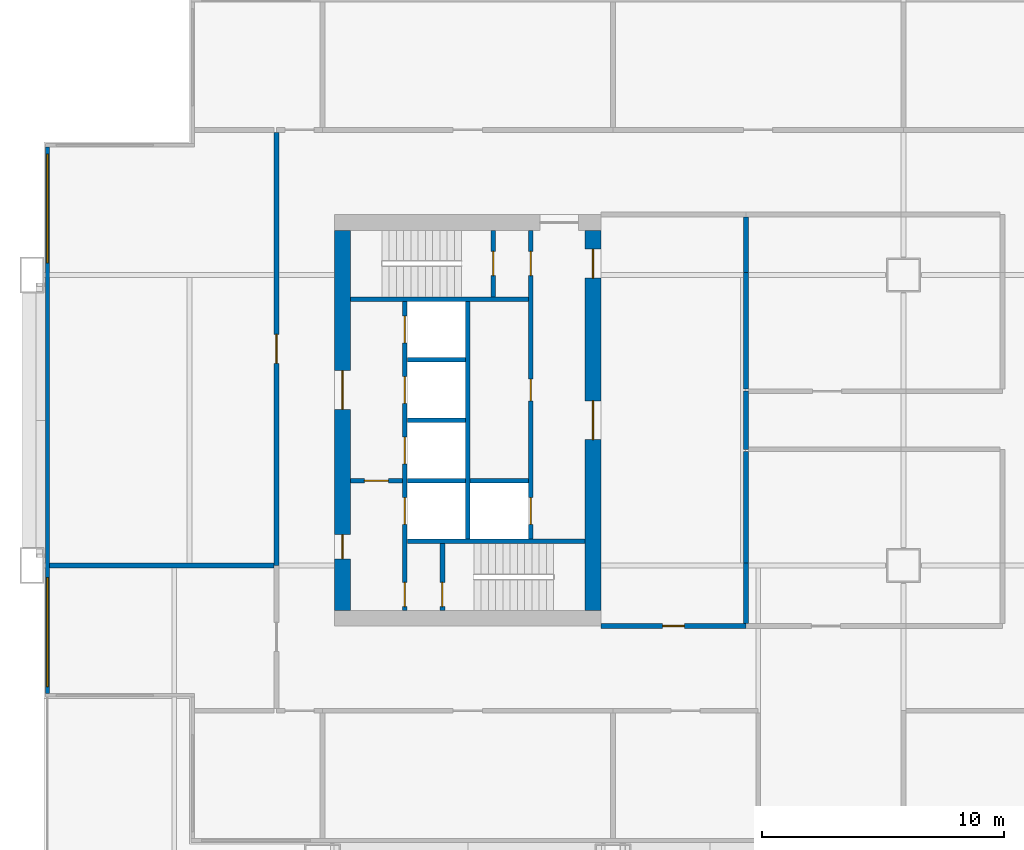
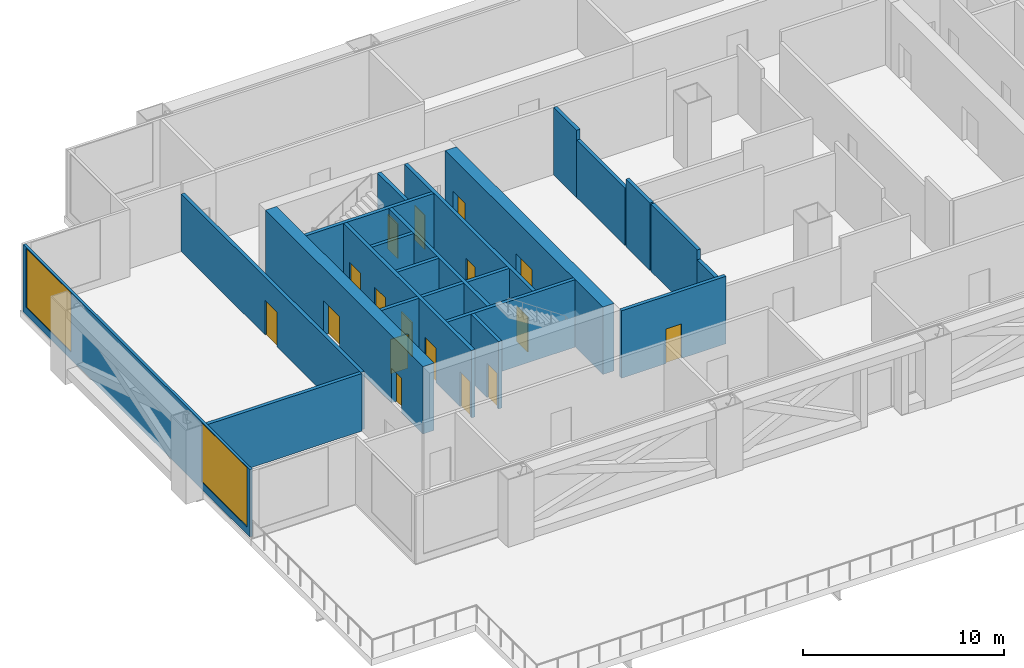
# One storey, part 4 of 8: 23 walls, 17 doors, 2 windows, 19 openings.
"""IFC4 building model written with IfcOpenShell, lengths in metres."""

from ifc_helpers import new_model, si_unit, direction, frame, frame_2d, origin, place, context, subcontext, project, spatial, rectangle, extrude, material, layer, layer_set, type_object, element, fill, save


model = new_model("IFC4")

# Units and contexts
model_context = context("Model", 3, precision=1e-05, world=origin(), true_north=direction((0.0, 1.0)))
body_context = subcontext(model_context, "Body", "Model", "MODEL_VIEW")
ifc_project = project(units=[si_unit("LENGTHUNIT", "METRE"), si_unit("AREAUNIT", "SQUARE_METRE"), si_unit("VOLUMEUNIT", "CUBIC_METRE"), si_unit("PLANEANGLEUNIT", "RADIAN"), si_unit("MASSUNIT", "GRAM", prefix="KILO")], contexts=[model_context])

# Site, building, storey
site_placement = place(None, origin())
site = spatial("IfcSite", under=ifc_project, at=site_placement, CompositionType="ELEMENT")
building_placement = place(site_placement, origin())
building = spatial("IfcBuilding", under=site, at=building_placement, Name="Kitamizu Gate Tower and Museum", CompositionType="ELEMENT")
storey_placement = place(building_placement, frame((0.0, 0.0, 92.10009765625)))
storey = spatial("IfcBuildingStorey", under=building, at=storey_placement, Name="L23", CompositionType="ELEMENT", Elevation=92.10009765625)

# Wall, openings, doors
ifc_material_1 = material(Name="Concrete Fc60", Category="concrete")
ifc_layer_1 = layer(ifc_material_1, 0.64990234375)
ifc_layer_set_1 = layer_set([ifc_layer_1], Name="Concrete Fc60")
wall_type_1 = type_object("IfcWallType", Name="Core wall 650", PredefinedType="SHEAR", material=ifc_layer_set_1)
wall_1_placement = place(storey_placement, frame((12.824951171875, 22.14990234375, 0.0), z_axis=(0.0, 0.0, 1.0), x_axis=(0.0, 1.0, 0.0)))
wall_1 = element("IfcWall", 1, at=wall_1_placement, inside=storey, type_object=wall_type_1, Name="Core wall WOUT", PredefinedType="SHEAR", context=body_context, shape_type="SweptSolid", body=[
    extrude(rectangle(XDim=15.7001953125, YDim=0.64990234375, at=frame_2d((7.85009765625, 0.0))), origin(), (0.0, 0.0, 1.0), 4.099853515625),
])
opening_1_placement = place(wall_1_placement, frame((8.300048828125, 0.0, 0.0)))
opening_1 = element("IfcOpeningElement", 2, at=opening_1_placement, cuts=wall_1, Name="Opening L23-026", PredefinedType="OPENING", context=body_context, shape_type="SweptSolid", body=[
    extrude(rectangle(XDim=1.60009765625, YDim=2.10009765625, at=frame_2d((0.800048828125, 1.050048828125))), frame((0.0, 0.3349609375, 0.0), z_axis=(0.0, -1.0, 0.0), x_axis=(1.0, 0.0, 0.0)), (0.0, 0.0, 1.0), 0.669921875),
])
opening_2_placement = place(wall_1_placement, frame((2.125, 0.0, 0.0)))
opening_2 = element("IfcOpeningElement", 3, at=opening_2_placement, cuts=wall_1, Name="Opening L23-027", PredefinedType="OPENING", context=body_context, shape_type="SweptSolid", body=[
    extrude(rectangle(XDim=1.0, YDim=2.10009765625, at=frame_2d((0.5, 1.050048828125))), frame((0.0, 0.3349609375, 0.0), z_axis=(0.0, -1.0, 0.0), x_axis=(1.0, 0.0, 0.0)), (0.0, 0.0, 1.0), 0.669921875),
])
ifc_material_2 = material(Name="Timber door set", Category="wood")
door_type_1 = type_object("IfcDoorType", Name="Entrance door 1600", OperationType="DOUBLE_DOOR_SINGLE_SWING", PredefinedType="DOOR", material=ifc_material_2)
door_1_placement = place(opening_1_placement, origin())
door_1 = element("IfcDoor", 4, at=door_1_placement, inside=storey, type_object=door_type_1, Name="Lobby door L23-026", OperationType="DOUBLE_DOOR_SINGLE_SWING", OverallHeight=2.10009765625, OverallWidth=1.60009765625, PredefinedType="DOOR", context=body_context, shape_type="SweptSolid", body=[
    extrude(rectangle(XDim=1.60009765625, YDim=2.10009765625, at=frame_2d((0.800048828125, 1.050048828125))), frame((0.0, 0.02490234375, 0.0), z_axis=(0.0, -1.0, 0.0), x_axis=(1.0, 0.0, 0.0)), (0.0, 0.0, 1.0), 0.050048828125),
])
fill(opening_1, door_1)
ifc_material_3 = material(Name="Hollow metal door set")
door_type_2 = type_object("IfcDoorType", Name="Fire door 1000", OperationType="NOTDEFINED", PredefinedType="DOOR", material=ifc_material_3)
door_2_placement = place(opening_2_placement, frame((1.0, 0.0, 0.0), x_axis=(-1.0, 0.0, 0.0)))
door_2 = element("IfcDoor", 5, at=door_2_placement, inside=storey, type_object=door_type_2, Name="Fire-fighting lobby door L23-027", OperationType="SINGLE_SWING_RIGHT", OverallHeight=2.10009765625, OverallWidth=1.0, PredefinedType="DOOR", context=body_context, shape_type="SweptSolid", body=[
    extrude(rectangle(XDim=1.0, YDim=2.10009765625, at=frame_2d((0.5, 1.050048828125))), frame((0.0, 0.02490234375, 0.0), z_axis=(0.0, -1.0, 0.0), x_axis=(1.0, 0.0, 0.0)), (0.0, 0.0, 1.0), 0.050048828125),
])
fill(opening_2, door_2)

wall_2_placement = place(storey_placement, frame((23.175048828125, 22.14990234375, 0.0), z_axis=(0.0, 0.0, 1.0), x_axis=(0.0, 1.0, 0.0)))
wall_2 = element("IfcWall", 6, at=wall_2_placement, inside=storey, type_object=wall_type_1, Name="Core wall WARC", PredefinedType="SHEAR", context=body_context, shape_type="SweptSolid", body=[
    extrude(rectangle(XDim=15.7001953125, YDim=0.64990234375, at=frame_2d((7.85009765625, 0.0))), origin(), (0.0, 0.0, 1.0), 4.099853515625),
])
opening_3_placement = place(wall_2_placement, frame((7.050048828125, 0.0, 0.0)))
opening_3 = element("IfcOpeningElement", 7, at=opening_3_placement, cuts=wall_2, Name="Opening L23-029", PredefinedType="OPENING", context=body_context, shape_type="SweptSolid", body=[
    extrude(rectangle(XDim=1.60009765625, YDim=2.10009765625, at=frame_2d((0.800048828125, 1.050048828125))), frame((0.0, 0.3349609375, 0.0), z_axis=(0.0, -1.0, 0.0), x_axis=(1.0, 0.0, 0.0)), (0.0, 0.0, 1.0), 0.669921875),
])
opening_4_placement = place(wall_2_placement, frame((13.72509765625, 0.0, 0.0)))
opening_4 = element("IfcOpeningElement", 8, at=opening_4_placement, cuts=wall_2, Name="Opening L23-030", PredefinedType="OPENING", context=body_context, shape_type="SweptSolid", body=[
    extrude(rectangle(XDim=1.199951171875, YDim=2.10009765625, at=frame_2d((0.60009765625, 1.050048828125))), frame((0.0, 0.3349609375, 0.0), z_axis=(0.0, -1.0, 0.0), x_axis=(1.0, 0.0, 0.0)), (0.0, 0.0, 1.0), 0.669921875),
])
door_3_placement = place(opening_3_placement, origin())
door_3 = element("IfcDoor", 9, at=door_3_placement, inside=storey, type_object=door_type_1, Name="Lobby door L23-029", OperationType="DOUBLE_DOOR_SINGLE_SWING", OverallHeight=2.10009765625, OverallWidth=1.60009765625, PredefinedType="DOOR", context=body_context, shape_type="SweptSolid", body=[
    extrude(rectangle(XDim=1.60009765625, YDim=2.10009765625, at=frame_2d((0.800048828125, 1.050048828125))), frame((0.0, 0.02490234375, 0.0), z_axis=(0.0, -1.0, 0.0), x_axis=(1.0, 0.0, 0.0)), (0.0, 0.0, 1.0), 0.050048828125),
])
fill(opening_3, door_3)
ifc_material_4 = material(Name="Timber door set", Category="wood")
door_type_3 = type_object("IfcDoorType", Name="Refuge door 1200", OperationType="NOTDEFINED", PredefinedType="DOOR", material=ifc_material_4)
door_4_placement = place(opening_4_placement, frame((1.199951171875, 0.0, 0.0), x_axis=(-1.0, 0.0, 0.0)))
door_4 = element("IfcDoor", 10, at=door_4_placement, inside=storey, type_object=door_type_3, Name="Refuge door L23-030", OperationType="SINGLE_SWING_LEFT", OverallHeight=2.10009765625, OverallWidth=1.199951171875, PredefinedType="DOOR", context=body_context, shape_type="SweptSolid", body=[
    extrude(rectangle(XDim=1.199951171875, YDim=2.10009765625, at=frame_2d((0.60009765625, 1.050048828125))), frame((0.0, 0.02490234375, 0.0), z_axis=(0.0, -1.0, 0.0), x_axis=(1.0, 0.0, 0.0)), (0.0, 0.0, 1.0), 0.050048828125),
])
fill(opening_4, door_4)

# Wall, opening, door
ifc_material_5 = material(Name="Gypsum board on galvanised stud")
ifc_layer_2 = layer(ifc_material_5, 0.199951171875)
ifc_layer_set_2 = layer_set([ifc_layer_2], Name="Gypsum board on galvanised stud")
wall_type_2 = type_object("IfcWallType", Name="Partition 200", PredefinedType="PARTITIONING", material=ifc_layer_set_2)
wall_3_placement = place(storey_placement, frame((23.5, 21.5, 0.0), z_axis=(0.0, 0.0, 1.0), x_axis=(1.0, 0.0, 0.0)))
wall_3 = element("IfcWall", 11, at=wall_3_placement, inside=storey, type_object=wall_type_2, Name="Partition L23-001", PredefinedType="PARTITIONING", context=body_context, shape_type="SweptSolid", body=[
    extrude(rectangle(XDim=6.0, YDim=0.199951171875, at=frame_2d((3.0, 0.0))), origin(), (0.0, 0.0, 1.0), 4.099853515625),
])
opening_5_placement = place(wall_3_placement, frame((2.550048828125, 0.0, 0.0)))
opening_5 = element("IfcOpeningElement", 12, at=opening_5_placement, cuts=wall_3, Name="Opening L23-001", PredefinedType="OPENING", context=body_context, shape_type="SweptSolid", body=[
    extrude(rectangle(XDim=0.89990234375, YDim=2.10009765625, at=frame_2d((0.449951171875, 1.050048828125))), frame((0.0, 0.10986328125, 0.0), z_axis=(0.0, -1.0, 0.0), x_axis=(1.0, 0.0, 0.0)), (0.0, 0.0, 1.0), 0.219970703125),
])
ifc_material_6 = material(Name="Timber door set", Category="wood")
door_type_4 = type_object("IfcDoorType", Name="Store door 900", OperationType="NOTDEFINED", PredefinedType="DOOR", material=ifc_material_6)
door_5_placement = place(opening_5_placement, origin())
door_5 = element("IfcDoor", 13, at=door_5_placement, inside=storey, type_object=door_type_4, Name="Store door L23-001", OperationType="SINGLE_SWING_RIGHT", OverallHeight=2.10009765625, OverallWidth=0.89990234375, PredefinedType="DOOR", context=body_context, shape_type="SweptSolid", body=[
    extrude(rectangle(XDim=0.89990234375, YDim=2.10009765625, at=frame_2d((0.449951171875, 1.050048828125))), frame((0.0, 0.02490234375, 0.0), z_axis=(0.0, -1.0, 0.0), x_axis=(1.0, 0.0, 0.0)), (0.0, 0.0, 1.0), 0.050048828125),
])
fill(opening_5, door_5)

# Wall
wall_4_placement = place(storey_placement, frame((29.5, 28.800048828125, 0.0), z_axis=(0.0, 0.0, 1.0), x_axis=(0.0, 1.0, 0.0)))
element("IfcWall", 14, at=wall_4_placement, inside=storey, type_object=wall_type_2, Name="Partition L23-003", PredefinedType="PARTITIONING", context=body_context, shape_type="SweptSolid", body=[
    extrude(rectangle(XDim=2.39990234375, YDim=0.199951171875, at=frame_2d((1.199951171875, 0.0))), origin(), (0.0, 0.0, 1.0), 4.099853515625),
])

# Wall, opening, door
wall_5_placement = place(storey_placement, frame((10.10009765625, 41.89990234375, 0.0), z_axis=(0.0, 0.0, 1.0), x_axis=(0.0, -1.0, 0.0)))
wall_5 = element("IfcWall", 15, at=wall_5_placement, inside=storey, type_object=wall_type_2, Name="Partition L23-023", PredefinedType="PARTITIONING", context=body_context, shape_type="SweptSolid", body=[
    extrude(rectangle(XDim=17.89990234375, YDim=0.199951171875, at=frame_2d((8.949951171875, 0.0))), origin(), (0.0, 0.0, 1.0), 3.5),
])
opening_6_placement = place(wall_5_placement, frame((8.35009765625, 0.0, 0.0)))
opening_6 = element("IfcOpeningElement", 16, at=opening_6_placement, cuts=wall_5, Name="Opening L23-016", PredefinedType="OPENING", context=body_context, shape_type="SweptSolid", body=[
    extrude(rectangle(XDim=1.199951171875, YDim=2.10009765625, at=frame_2d((0.60009765625, 1.050048828125))), frame((0.0, 0.10986328125, 0.0), z_axis=(0.0, -1.0, 0.0), x_axis=(1.0, 0.0, 0.0)), (0.0, 0.0, 1.0), 0.219970703125),
])
ifc_material_7 = material(Name="Timber door set", Category="wood")
door_type_5 = type_object("IfcDoorType", Name="Plant room door 1200", OperationType="DOUBLE_DOOR_SINGLE_SWING", PredefinedType="DOOR", material=ifc_material_7)
door_6_placement = place(opening_6_placement, origin())
door_6 = element("IfcDoor", 17, at=door_6_placement, inside=storey, type_object=door_type_5, Name="Plant room door L23-016", OperationType="DOUBLE_DOOR_SINGLE_SWING", OverallHeight=2.10009765625, OverallWidth=1.199951171875, PredefinedType="DOOR", context=body_context, shape_type="SweptSolid", body=[
    extrude(rectangle(XDim=1.199951171875, YDim=2.10009765625, at=frame_2d((0.60009765625, 1.050048828125))), frame((0.0, 0.02490234375, 0.0), z_axis=(0.0, -1.0, 0.0), x_axis=(1.0, 0.0, 0.0)), (0.0, 0.0, 1.0), 0.050048828125),
])
fill(opening_6, door_6)

# Walls
wall_6_placement = place(storey_placement, frame((29.5, 21.60009765625, 0.0), z_axis=(0.0, 0.0, 1.0), x_axis=(0.0, 1.0, 0.0)))
element("IfcWall", 18, at=wall_6_placement, inside=storey, type_object=wall_type_2, Name="Partition L23-039", PredefinedType="PARTITIONING", context=body_context, shape_type="SweptSolid", body=[
    extrude(rectangle(XDim=2.5, YDim=0.199951171875, at=frame_2d((1.25, 0.0))), origin(), (0.0, 0.0, 1.0), 3.5),
])
wall_7_placement = place(storey_placement, frame((29.5, 24.10009765625, 0.0), z_axis=(0.0, 0.0, 1.0), x_axis=(0.0, 1.0, 0.0)))
element("IfcWall", 19, at=wall_7_placement, inside=storey, type_object=wall_type_2, Name="Partition L23-040", PredefinedType="PARTITIONING", context=body_context, shape_type="SweptSolid", body=[
    extrude(rectangle(XDim=4.599853515625, YDim=0.199951171875, at=frame_2d((2.2998046875, 0.0))), origin(), (0.0, 0.0, 1.0), 4.099853515625),
])
wall_8_placement = place(storey_placement, frame((29.5, 31.300048828125, 0.0), z_axis=(0.0, 0.0, 1.0), x_axis=(0.0, 1.0, 0.0)))
element("IfcWall", 20, at=wall_8_placement, inside=storey, type_object=wall_type_2, Name="Partition L23-041", PredefinedType="PARTITIONING", context=body_context, shape_type="SweptSolid", body=[
    extrude(rectangle(XDim=4.800048828125, YDim=0.199951171875, at=frame_2d((2.39990234375, 0.0))), origin(), (0.0, 0.0, 1.0), 3.5),
])
wall_9_placement = place(storey_placement, frame((29.5, 36.10009765625, 0.0), z_axis=(0.0, 0.0, 1.0), x_axis=(0.0, 1.0, 0.0)))
element("IfcWall", 21, at=wall_9_placement, inside=storey, type_object=wall_type_2, Name="Partition L23-042", PredefinedType="PARTITIONING", context=body_context, shape_type="SweptSolid", body=[
    extrude(rectangle(XDim=2.2998046875, YDim=0.199951171875, at=frame_2d((1.14990234375, 0.0))), origin(), (0.0, 0.0, 1.0), 4.099853515625),
])
wall_10_placement = place(storey_placement, frame((10.0, 24.0, 0.0), z_axis=(0.0, 0.0, 1.0), x_axis=(-1.0, 0.0, 0.0)))
element("IfcWall", 22, at=wall_10_placement, inside=storey, type_object=wall_type_2, Name="Partition L23-056", PredefinedType="PARTITIONING", context=body_context, shape_type="SweptSolid", body=[
    extrude(rectangle(XDim=9.280029296875, YDim=0.199951171875, at=frame_2d((4.64013671875, 0.0))), origin(), (0.0, 0.0, 1.0), 3.5),
])

# Wall, openings, doors
ifc_material_8 = material(Name="Concrete Fc42", Category="concrete")
ifc_layer_3 = layer(ifc_material_8, 0.199951171875)
ifc_layer_set_3 = layer_set([ifc_layer_3], Name="Concrete Fc42")
wall_type_3 = type_object("IfcWallType", Name="Shaft wall 200", PredefinedType="SOLIDWALL", material=ifc_layer_set_3)
wall_11_placement = place(storey_placement, frame((15.39990234375, 22.14990234375, 0.0), z_axis=(0.0, 0.0, 1.0), x_axis=(0.0, 1.0, 0.0)))
wall_11 = element("IfcWall", 23, at=wall_11_placement, inside=storey, type_object=wall_type_3, Name="Shaft wall WWEST", PredefinedType="SOLIDWALL", context=body_context, shape_type="SweptSolid", body=[
    extrude(rectangle(XDim=12.75, YDim=0.199951171875, at=frame_2d((6.375, 0.0))), origin(), (0.0, 0.0, 1.0), 4.099853515625),
])
opening_7_placement = place(wall_11_placement, frame((3.550048828125, 0.0, 0.0)))
opening_7 = element("IfcOpeningElement", 24, at=opening_7_placement, cuts=wall_11, Name="Opening LD", PredefinedType="OPENING", context=body_context, shape_type="SweptSolid", body=[
    extrude(rectangle(XDim=1.10009765625, YDim=2.10009765625, at=frame_2d((0.550048828125, 1.050048828125))), frame((0.0, 0.10986328125, 0.0), z_axis=(0.0, -1.0, 0.0), x_axis=(1.0, 0.0, 0.0)), (0.0, 0.0, 1.0), 0.219970703125),
])
opening_8_placement = place(wall_11_placement, frame((6.050048828125, 0.0, 0.0)))
opening_8 = element("IfcOpeningElement", 25, at=opening_8_placement, cuts=wall_11, Name="Opening LD", PredefinedType="OPENING", context=body_context, shape_type="SweptSolid", body=[
    extrude(rectangle(XDim=1.10009765625, YDim=2.10009765625, at=frame_2d((0.550048828125, 1.050048828125))), frame((0.0, 0.10986328125, 0.0), z_axis=(0.0, -1.0, 0.0), x_axis=(1.0, 0.0, 0.0)), (0.0, 0.0, 1.0), 0.219970703125),
])
opening_9_placement = place(wall_11_placement, frame((8.550048828125, 0.0, 0.0)))
opening_9 = element("IfcOpeningElement", 26, at=opening_9_placement, cuts=wall_11, Name="Opening LD", PredefinedType="OPENING", context=body_context, shape_type="SweptSolid", body=[
    extrude(rectangle(XDim=1.10009765625, YDim=2.10009765625, at=frame_2d((0.550048828125, 1.050048828125))), frame((0.0, 0.10986328125, 0.0), z_axis=(0.0, -1.0, 0.0), x_axis=(1.0, 0.0, 0.0)), (0.0, 0.0, 1.0), 0.219970703125),
])
opening_10_placement = place(wall_11_placement, frame((11.050048828125, 0.0, 0.0)))
opening_10 = element("IfcOpeningElement", 27, at=opening_10_placement, cuts=wall_11, Name="Opening LD", PredefinedType="OPENING", context=body_context, shape_type="SweptSolid", body=[
    extrude(rectangle(XDim=1.10009765625, YDim=2.10009765625, at=frame_2d((0.550048828125, 1.050048828125))), frame((0.0, 0.10986328125, 0.0), z_axis=(0.0, -1.0, 0.0), x_axis=(1.0, 0.0, 0.0)), (0.0, 0.0, 1.0), 0.219970703125),
])
opening_11_placement = place(wall_11_placement, frame((0.14990234375, 0.0, 0.0)))
opening_11 = element("IfcOpeningElement", 28, at=opening_11_placement, cuts=wall_11, Name="Opening L23-022", PredefinedType="OPENING", context=body_context, shape_type="SweptSolid", body=[
    extrude(rectangle(XDim=1.0, YDim=2.10009765625, at=frame_2d((0.5, 1.050048828125))), frame((0.0, 0.10986328125, 0.0), z_axis=(0.0, -1.0, 0.0), x_axis=(1.0, 0.0, 0.0)), (0.0, 0.0, 1.0), 0.219970703125),
])
door_7_placement = place(opening_11_placement, frame((1.0, 0.0, 0.0), x_axis=(-1.0, 0.0, 0.0)))
door_7 = element("IfcDoor", 29, at=door_7_placement, inside=storey, type_object=door_type_2, Name="Stair lobby door L23-022", OperationType="SINGLE_SWING_LEFT", OverallHeight=2.10009765625, OverallWidth=1.0, PredefinedType="DOOR", context=body_context, shape_type="SweptSolid", body=[
    extrude(rectangle(XDim=1.0, YDim=2.10009765625, at=frame_2d((0.5, 1.050048828125))), frame((0.0, 0.02490234375, 0.0), z_axis=(0.0, -1.0, 0.0), x_axis=(1.0, 0.0, 0.0)), (0.0, 0.0, 1.0), 0.050048828125),
])
fill(opening_11, door_7)
ifc_material_9 = material(Name="Hollow metal door set")
door_type_6 = type_object("IfcDoorType", Name="Landing door 1100", OperationType="SLIDING_TO_LEFT", PredefinedType="DOOR", material=ifc_material_9)
door_8_placement = place(opening_7_placement, origin())
door_8 = element("IfcDoor", 30, at=door_8_placement, inside=storey, type_object=door_type_6, Name="Landing door WFF1", OperationType="SLIDING_TO_LEFT", OverallHeight=2.10009765625, OverallWidth=1.10009765625, PredefinedType="DOOR", context=body_context, shape_type="SweptSolid", body=[
    extrude(rectangle(XDim=1.10009765625, YDim=2.10009765625, at=frame_2d((0.550048828125, 1.050048828125))), frame((0.0, 0.02490234375, 0.0), z_axis=(0.0, -1.0, 0.0), x_axis=(1.0, 0.0, 0.0)), (0.0, 0.0, 1.0), 0.050048828125),
])
fill(opening_7, door_8)
door_9_placement = place(opening_8_placement, origin())
door_9 = element("IfcDoor", 31, at=door_9_placement, inside=storey, type_object=door_type_6, Name="Landing door WL1", OperationType="SLIDING_TO_LEFT", OverallHeight=2.10009765625, OverallWidth=1.10009765625, PredefinedType="DOOR", context=body_context, shape_type="SweptSolid", body=[
    extrude(rectangle(XDim=1.10009765625, YDim=2.10009765625, at=frame_2d((0.550048828125, 1.050048828125))), frame((0.0, 0.02490234375, 0.0), z_axis=(0.0, -1.0, 0.0), x_axis=(1.0, 0.0, 0.0)), (0.0, 0.0, 1.0), 0.050048828125),
])
fill(opening_8, door_9)
door_10_placement = place(opening_9_placement, origin())
door_10 = element("IfcDoor", 32, at=door_10_placement, inside=storey, type_object=door_type_6, Name="Landing door WL2", OperationType="SLIDING_TO_LEFT", OverallHeight=2.10009765625, OverallWidth=1.10009765625, PredefinedType="DOOR", context=body_context, shape_type="SweptSolid", body=[
    extrude(rectangle(XDim=1.10009765625, YDim=2.10009765625, at=frame_2d((0.550048828125, 1.050048828125))), frame((0.0, 0.02490234375, 0.0), z_axis=(0.0, -1.0, 0.0), x_axis=(1.0, 0.0, 0.0)), (0.0, 0.0, 1.0), 0.050048828125),
])
fill(opening_9, door_10)
door_11_placement = place(opening_10_placement, origin())
door_11 = element("IfcDoor", 33, at=door_11_placement, inside=storey, type_object=door_type_6, Name="Landing door WL3", OperationType="SLIDING_TO_LEFT", OverallHeight=2.10009765625, OverallWidth=1.10009765625, PredefinedType="DOOR", context=body_context, shape_type="SweptSolid", body=[
    extrude(rectangle(XDim=1.10009765625, YDim=2.10009765625, at=frame_2d((0.550048828125, 1.050048828125))), frame((0.0, 0.02490234375, 0.0), z_axis=(0.0, -1.0, 0.0), x_axis=(1.0, 0.0, 0.0)), (0.0, 0.0, 1.0), 0.050048828125),
])
fill(opening_10, door_11)

wall_12_placement = place(storey_placement, frame((20.60009765625, 25.10009765625, 0.0), z_axis=(0.0, 0.0, 1.0), x_axis=(0.0, 1.0, 0.0)))
wall_12 = element("IfcWall", 34, at=wall_12_placement, inside=storey, type_object=wall_type_3, Name="Shaft wall WEAST", PredefinedType="SOLIDWALL", context=body_context, shape_type="SweptSolid", body=[
    extrude(rectangle(XDim=12.75, YDim=0.199951171875, at=frame_2d((6.375, 0.0))), origin(), (0.0, 0.0, 1.0), 4.099853515625),
])
opening_12_placement = place(wall_12_placement, frame((0.60009765625, 0.0, 0.0)))
opening_12 = element("IfcOpeningElement", 35, at=opening_12_placement, cuts=wall_12, Name="Opening LD", PredefinedType="OPENING", context=body_context, shape_type="SweptSolid", body=[
    extrude(rectangle(XDim=1.10009765625, YDim=2.10009765625, at=frame_2d((0.550048828125, 1.050048828125))), frame((0.0, 0.10986328125, 0.0), z_axis=(0.0, -1.0, 0.0), x_axis=(1.0, 0.0, 0.0)), (0.0, 0.0, 1.0), 0.219970703125),
])
opening_13_placement = place(wall_12_placement, frame((10.875, 0.0, 0.0)))
opening_13 = element("IfcOpeningElement", 36, at=opening_13_placement, cuts=wall_12, Name="Opening L23-023", PredefinedType="OPENING", context=body_context, shape_type="SweptSolid", body=[
    extrude(rectangle(XDim=1.0, YDim=2.10009765625, at=frame_2d((0.5, 1.050048828125))), frame((0.0, 0.10986328125, 0.0), z_axis=(0.0, -1.0, 0.0), x_axis=(1.0, 0.0, 0.0)), (0.0, 0.0, 1.0), 0.219970703125),
])
opening_14_placement = place(wall_12_placement, frame((5.699951171875, 0.0, 0.0)))
opening_14 = element("IfcOpeningElement", 37, at=opening_14_placement, cuts=wall_12, Name="Opening L23-031", PredefinedType="OPENING", context=body_context, shape_type="SweptSolid", body=[
    extrude(rectangle(XDim=0.89990234375, YDim=2.10009765625, at=frame_2d((0.449951171875, 1.050048828125))), frame((0.0, 0.10986328125, 0.0), z_axis=(0.0, -1.0, 0.0), x_axis=(1.0, 0.0, 0.0)), (0.0, 0.0, 1.0), 0.219970703125),
])
door_12_placement = place(opening_13_placement, origin())
door_12 = element("IfcDoor", 38, at=door_12_placement, inside=storey, type_object=door_type_2, Name="Stair lobby door L23-023", OperationType="SINGLE_SWING_RIGHT", OverallHeight=2.10009765625, OverallWidth=1.0, PredefinedType="DOOR", context=body_context, shape_type="SweptSolid", body=[
    extrude(rectangle(XDim=1.0, YDim=2.10009765625, at=frame_2d((0.5, 1.050048828125))), frame((0.0, 0.02490234375, 0.0), z_axis=(0.0, -1.0, 0.0), x_axis=(1.0, 0.0, 0.0)), (0.0, 0.0, 1.0), 0.050048828125),
])
fill(opening_13, door_12)
door_13_placement = place(opening_12_placement, origin())
door_13 = element("IfcDoor", 39, at=door_13_placement, inside=storey, type_object=door_type_6, Name="Landing door WSV1", OperationType="SLIDING_TO_LEFT", OverallHeight=2.10009765625, OverallWidth=1.10009765625, PredefinedType="DOOR", context=body_context, shape_type="SweptSolid", body=[
    extrude(rectangle(XDim=1.10009765625, YDim=2.10009765625, at=frame_2d((0.550048828125, 1.050048828125))), frame((0.0, 0.02490234375, 0.0), z_axis=(0.0, -1.0, 0.0), x_axis=(1.0, 0.0, 0.0)), (0.0, 0.0, 1.0), 0.050048828125),
])
fill(opening_12, door_13)
ifc_material_10 = material(Name="Timber door set", Category="wood")
door_type_7 = type_object("IfcDoorType", Name="Service door 900", OperationType="NOTDEFINED", PredefinedType="DOOR", material=ifc_material_10)
door_14_placement = place(opening_14_placement, origin())
door_14 = element("IfcDoor", 40, at=door_14_placement, inside=storey, type_object=door_type_7, Name="Service door L23-031", OperationType="SINGLE_SWING_LEFT", OverallHeight=2.10009765625, OverallWidth=0.89990234375, PredefinedType="DOOR", context=body_context, shape_type="SweptSolid", body=[
    extrude(rectangle(XDim=0.89990234375, YDim=2.10009765625, at=frame_2d((0.449951171875, 1.050048828125))), frame((0.0, 0.02490234375, 0.0), z_axis=(0.0, -1.0, 0.0), x_axis=(1.0, 0.0, 0.0)), (0.0, 0.0, 1.0), 0.050048828125),
])
fill(opening_14, door_14)

# Walls
wall_13_placement = place(storey_placement, frame((18.0, 25.10009765625, 0.0), z_axis=(0.0, 0.0, 1.0), x_axis=(0.0, 1.0, 0.0)))
element("IfcWall", 41, at=wall_13_placement, inside=storey, type_object=wall_type_3, Name="Shaft wall WMID", PredefinedType="SOLIDWALL", context=body_context, shape_type="SweptSolid", body=[
    extrude(rectangle(XDim=9.7998046875, YDim=0.199951171875, at=frame_2d((4.89990234375, 0.0))), origin(), (0.0, 0.0, 1.0), 4.099853515625),
])
for number, where, z_axis, x_axis, name in (
    (42, (15.5, 25.0, 0.0), (0.0, 0.0, 1.0), (1.0, 0.0, 0.0), "Shaft wall WSB"),
    (43, (13.14990234375, 35.0, 0.0), (0.0, 0.0, 1.0), (1.0, 0.0, 0.0), "Shaft wall WNB"),
):
    element("IfcWall", number, at=place(storey_placement, frame(where, z_axis=z_axis, x_axis=x_axis)), inside=storey, type_object=wall_type_3, Name=name, PredefinedType="SOLIDWALL", context=body_context, shape_type="SweptSolid", body=[
        extrude(rectangle(XDim=7.35009765625, YDim=0.199951171875, at=frame_2d((3.675048828125, 0.0))), origin(), (0.0, 0.0, 1.0), 4.099853515625),
    ])

# Wall, opening, door
wall_14_placement = place(storey_placement, frame((13.14990234375, 27.5, 0.0), z_axis=(0.0, 0.0, 1.0), x_axis=(1.0, 0.0, 0.0)))
wall_14 = element("IfcWall", 44, at=wall_14_placement, inside=storey, type_object=wall_type_3, Name="Shaft wall WFFN", PredefinedType="SOLIDWALL", context=body_context, shape_type="SweptSolid", body=[
    extrude(rectangle(XDim=2.150146484375, YDim=0.199951171875, at=frame_2d((1.0751953125, 0.0))), origin(), (0.0, 0.0, 1.0), 4.099853515625),
])
opening_15_placement = place(wall_14_placement, frame((0.574951171875, 0.0, 0.0)))
opening_15 = element("IfcOpeningElement", 45, at=opening_15_placement, cuts=wall_14, Name="Opening L23-025", PredefinedType="OPENING", context=body_context, shape_type="SweptSolid", body=[
    extrude(rectangle(XDim=1.0, YDim=2.10009765625, at=frame_2d((0.5, 1.050048828125))), frame((0.0, 0.10986328125, 0.0), z_axis=(0.0, -1.0, 0.0), x_axis=(1.0, 0.0, 0.0)), (0.0, 0.0, 1.0), 0.219970703125),
])
door_15_placement = place(opening_15_placement, frame((1.0, 0.0, 0.0), x_axis=(-1.0, 0.0, 0.0)))
door_15 = element("IfcDoor", 46, at=door_15_placement, inside=storey, type_object=door_type_2, Name="Fire-fighting lobby door L23-025", OperationType="SINGLE_SWING_LEFT", OverallHeight=2.10009765625, OverallWidth=1.0, PredefinedType="DOOR", context=body_context, shape_type="SweptSolid", body=[
    extrude(rectangle(XDim=1.0, YDim=2.10009765625, at=frame_2d((0.5, 1.050048828125))), frame((0.0, 0.02490234375, 0.0), z_axis=(0.0, -1.0, 0.0), x_axis=(1.0, 0.0, 0.0)), (0.0, 0.0, 1.0), 0.050048828125),
])
fill(opening_15, door_15)

wall_15_placement = place(storey_placement, frame((16.949951171875, 22.14990234375, 0.0), z_axis=(0.0, 0.0, 1.0), x_axis=(0.0, 1.0, 0.0)))
wall_15 = element("IfcWall", 47, at=wall_15_placement, inside=storey, type_object=wall_type_3, Name="Shaft wall WSZ", PredefinedType="SOLIDWALL", context=body_context, shape_type="SweptSolid", body=[
    extrude(rectangle(XDim=2.75, YDim=0.199951171875, at=frame_2d((1.375, 0.0))), origin(), (0.0, 0.0, 1.0), 4.099853515625),
])
opening_16_placement = place(wall_15_placement, frame((0.14990234375, 0.0, 0.0)))
opening_16 = element("IfcOpeningElement", 48, at=opening_16_placement, cuts=wall_15, Name="Opening L23-021", PredefinedType="OPENING", context=body_context, shape_type="SweptSolid", body=[
    extrude(rectangle(XDim=1.0, YDim=2.10009765625, at=frame_2d((0.5, 1.050048828125))), frame((0.0, 0.10986328125, 0.0), z_axis=(0.0, -1.0, 0.0), x_axis=(1.0, 0.0, 0.0)), (0.0, 0.0, 1.0), 0.219970703125),
])
door_16_placement = place(opening_16_placement, frame((1.0, 0.0, 0.0), x_axis=(-1.0, 0.0, 0.0)))
door_16 = element("IfcDoor", 49, at=door_16_placement, inside=storey, type_object=door_type_2, Name="Stair door L23-021", OperationType="SINGLE_SWING_LEFT", OverallHeight=2.10009765625, OverallWidth=1.0, PredefinedType="DOOR", context=body_context, shape_type="SweptSolid", body=[
    extrude(rectangle(XDim=1.0, YDim=2.10009765625, at=frame_2d((0.5, 1.050048828125))), frame((0.0, 0.02490234375, 0.0), z_axis=(0.0, -1.0, 0.0), x_axis=(1.0, 0.0, 0.0)), (0.0, 0.0, 1.0), 0.050048828125),
])
fill(opening_16, door_16)

wall_16_placement = place(storey_placement, frame((19.050048828125, 35.10009765625, 0.0), z_axis=(0.0, 0.0, 1.0), x_axis=(0.0, 1.0, 0.0)))
wall_16 = element("IfcWall", 50, at=wall_16_placement, inside=storey, type_object=wall_type_3, Name="Shaft wall WNZ", PredefinedType="SOLIDWALL", context=body_context, shape_type="SweptSolid", body=[
    extrude(rectangle(XDim=2.75, YDim=0.199951171875, at=frame_2d((1.375, 0.0))), origin(), (0.0, 0.0, 1.0), 4.099853515625),
])
opening_17_placement = place(wall_16_placement, frame((0.875, 0.0, 0.0)))
opening_17 = element("IfcOpeningElement", 51, at=opening_17_placement, cuts=wall_16, Name="Opening L23-024", PredefinedType="OPENING", context=body_context, shape_type="SweptSolid", body=[
    extrude(rectangle(XDim=1.0, YDim=2.10009765625, at=frame_2d((0.5, 1.050048828125))), frame((0.0, 0.10986328125, 0.0), z_axis=(0.0, -1.0, 0.0), x_axis=(1.0, 0.0, 0.0)), (0.0, 0.0, 1.0), 0.219970703125),
])
door_17_placement = place(opening_17_placement, origin())
door_17 = element("IfcDoor", 52, at=door_17_placement, inside=storey, type_object=door_type_2, Name="Stair door L23-024", OperationType="SINGLE_SWING_LEFT", OverallHeight=2.10009765625, OverallWidth=1.0, PredefinedType="DOOR", context=body_context, shape_type="SweptSolid", body=[
    extrude(rectangle(XDim=1.0, YDim=2.10009765625, at=frame_2d((0.5, 1.050048828125))), frame((0.0, 0.02490234375, 0.0), z_axis=(0.0, -1.0, 0.0), x_axis=(1.0, 0.0, 0.0)), (0.0, 0.0, 1.0), 0.050048828125),
])
fill(opening_17, door_17)

# Walls
for number, where, z_axis, x_axis, name in (
    (53, (15.5, 27.5, 0.0), (0.0, 0.0, 1.0), (1.0, 0.0, 0.0), "Shaft wall WDVW0"),
    (54, (15.5, 30.0, 0.0), (0.0, 0.0, 1.0), (1.0, 0.0, 0.0), "Shaft wall WDVW1"),
    (55, (15.5, 32.5, 0.0), (0.0, 0.0, 1.0), (1.0, 0.0, 0.0), "Shaft wall WDVW2"),
    (56, (18.10009765625, 27.5, 0.0), (0.0, 0.0, 1.0), (1.0, 0.0, 0.0), "Shaft wall WDVE0"),
):
    element("IfcWall", number, at=place(storey_placement, frame(where, z_axis=z_axis, x_axis=x_axis)), inside=storey, type_object=wall_type_3, Name=name, PredefinedType="SOLIDWALL", context=body_context, shape_type="SweptSolid", body=[
        extrude(rectangle(XDim=2.39990234375, YDim=0.199951171875, at=frame_2d((1.199951171875, 0.0))), origin(), (0.0, 0.0, 1.0), 4.099853515625),
    ])

# Wall, openings, windows
ifc_material_11 = material(Name="Bronze anodised aluminium frame with insulated spandrel and tinted glass", Category="aluminium")
ifc_layer_4 = layer(ifc_material_11, 0.14990234375)
ifc_layer_set_4 = layer_set([ifc_layer_4], Name="Bronze anodised aluminium frame with insulated spandrel and tinted glass")
wall_type_4 = type_object("IfcWallType", Name="WINDOW WALL 150 BRONZE FRAME EI 60", PredefinedType="ELEMENTEDWALL", material=ifc_layer_set_4)
wall_17_placement = place(storey_placement, frame((0.635009765625, 18.7099609375, 0.0), z_axis=(0.0, 0.0, 1.0), x_axis=(0.0, 1.0, 0.0)))
wall_17 = element("IfcWall", 57, at=wall_17_placement, inside=storey, type_object=wall_type_4, Name="Window wall west L23", PredefinedType="ELEMENTEDWALL", context=body_context, shape_type="SweptSolid", body=[
    extrude(rectangle(XDim=22.580078125, YDim=0.14990234375, at=frame_2d((11.2900390625, 0.0))), origin(), (0.0, 0.0, 1.0), 4.099853515625),
])
opening_18_placement = place(wall_17_placement, frame((0.2900390625, 0.0, 0.449951171875)))
opening_18 = element("IfcOpeningElement", 58, at=opening_18_placement, cuts=wall_17, Name="Opening W17", PredefinedType="OPENING", context=body_context, shape_type="SweptSolid", body=[
    extrude(rectangle(XDim=4.5, YDim=3.60009765625, at=frame_2d((2.25, 1.800048828125))), frame((0.0, 0.0849609375, 0.0), z_axis=(0.0, -1.0, 0.0), x_axis=(1.0, 0.0, 0.0)), (0.0, 0.0, 1.0), 0.169921875),
])
opening_19_placement = place(wall_17_placement, frame((17.7900390625, 0.0, 0.449951171875)))
opening_19 = element("IfcOpeningElement", 59, at=opening_19_placement, cuts=wall_17, Name="Opening W17", PredefinedType="OPENING", context=body_context, shape_type="SweptSolid", body=[
    extrude(rectangle(XDim=4.5, YDim=3.60009765625, at=frame_2d((2.25, 1.800048828125))), frame((0.0, 0.0849609375, 0.0), z_axis=(0.0, -1.0, 0.0), x_axis=(1.0, 0.0, 0.0)), (0.0, 0.0, 1.0), 0.169921875),
])
ifc_material_12 = material(Name="Bronze anodised aluminium frame, tinted triple glazing", Category="aluminium")
window_type = type_object("IfcWindowType", Name="WINDOW 4500 x 3600 SILL 450", PartitioningType="SINGLE_PANEL", PredefinedType="WINDOW", material=ifc_material_12)
window_1_placement = place(opening_18_placement, origin())
window_1 = element("IfcWindow", 60, at=window_1_placement, inside=storey, type_object=window_type, Name="Window W17 L23", OverallHeight=3.60009765625, OverallWidth=4.5, PartitioningType="SINGLE_PANEL", PredefinedType="WINDOW", context=body_context, shape_type="SweptSolid", body=[
    extrude(rectangle(XDim=4.5, YDim=3.60009765625, at=frame_2d((2.25, 1.800048828125))), frame((0.0, 0.030029296875, 0.0), z_axis=(0.0, -1.0, 0.0), x_axis=(1.0, 0.0, 0.0)), (0.0, 0.0, 1.0), 0.06005859375),
])
fill(opening_18, window_1)
window_2_placement = place(opening_19_placement, origin())
window_2 = element("IfcWindow", 61, at=window_2_placement, inside=storey, type_object=window_type, Name="Window W17 L23", OverallHeight=3.60009765625, OverallWidth=4.5, PartitioningType="SINGLE_PANEL", PredefinedType="WINDOW", context=body_context, shape_type="SweptSolid", body=[
    extrude(rectangle(XDim=4.5, YDim=3.60009765625, at=frame_2d((2.25, 1.800048828125))), frame((0.0, 0.030029296875, 0.0), z_axis=(0.0, -1.0, 0.0), x_axis=(1.0, 0.0, 0.0)), (0.0, 0.0, 1.0), 0.06005859375),
])
fill(opening_19, window_2)

save(model, "model.ifc")
